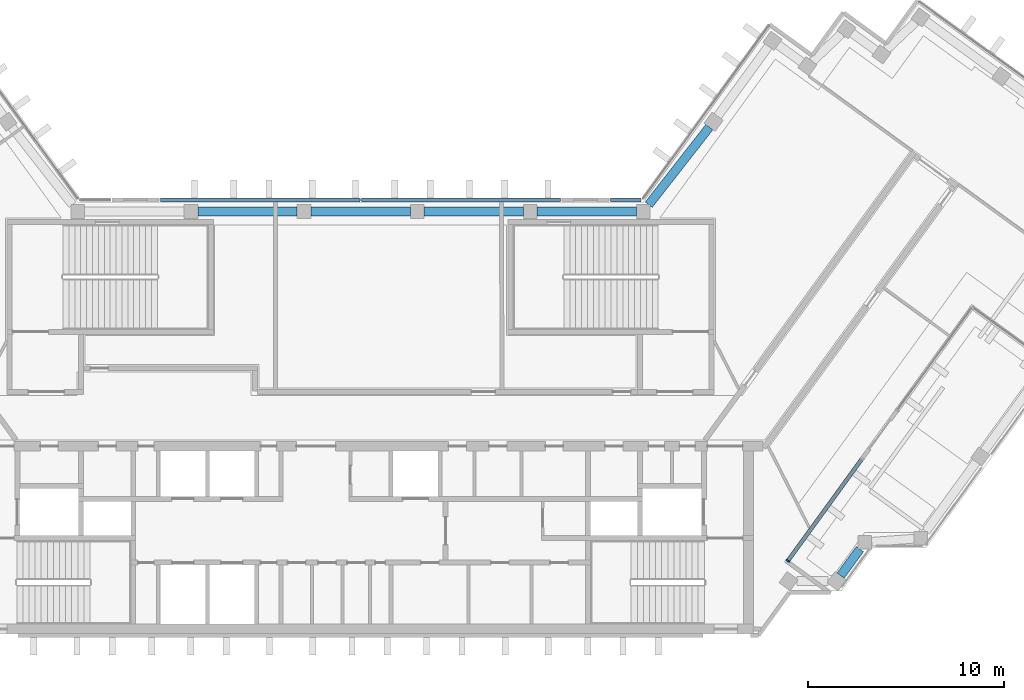
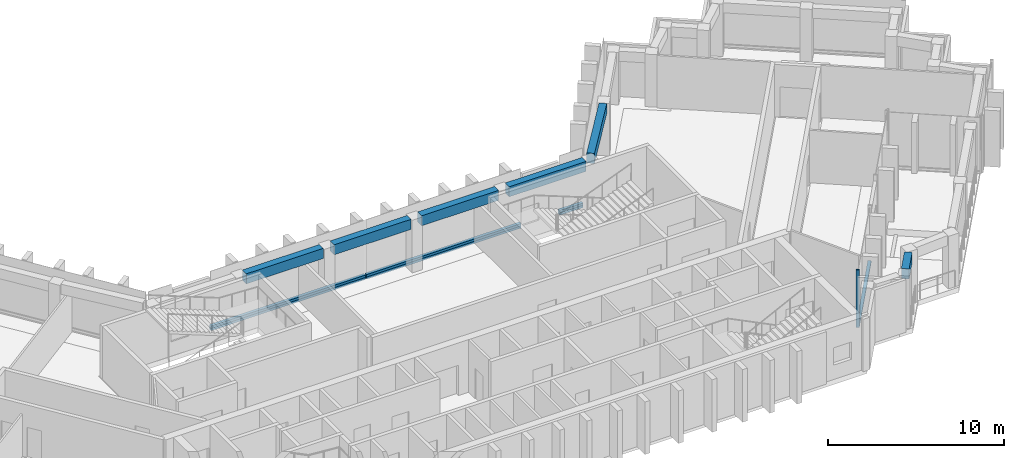
"""IFC4 building model written with IfcOpenShell, lengths in metres."""

from ifc_helpers import new_model, si_unit, direction, frame, origin, origin_2d, place, context, subcontext, project, spatial, rectangle, extrude, material, material_profile, profile_set, type_object, element, aggregate, save


model = new_model("IFC4")

# Units and contexts
model_context = context("Model", 3, precision=1e-05, world=origin(), true_north=direction((0.0, 1.0)))
body_context = subcontext(model_context, "Body", "Model", "MODEL_VIEW")
ifc_project = project(units=[si_unit("LENGTHUNIT", "METRE"), si_unit("AREAUNIT", "SQUARE_METRE"), si_unit("VOLUMEUNIT", "CUBIC_METRE"), si_unit("PLANEANGLEUNIT", "RADIAN"), si_unit("MASSUNIT", "GRAM", prefix="KILO")], contexts=[model_context])

# Site, building, storey
site_placement = place(None, origin())
site = spatial("IfcSite", under=ifc_project, at=site_placement, CompositionType="ELEMENT")
building_placement = place(site_placement, origin())
building = spatial("IfcBuilding", under=site, at=building_placement, Name="Quipu Civic Tower", CompositionType="ELEMENT")
storey_1_placement = place(building_placement, frame((0.0, 0.0, 319.0)))
storey_1 = spatial("IfcBuildingStorey", under=building, at=storey_1_placement, Name="L74", CompositionType="ELEMENT", Elevation=319.0)

# Curtain wall, member
ifc_material_1 = material(Name="Insulated glass unit", Category="glass")
curtain_wall_type = type_object("IfcCurtainWallType", Name="Office curtain wall CW1", PredefinedType="NOTDEFINED", material=ifc_material_1)
curtain_wall_1_placement = place(storey_1_placement, origin())
curtain_wall_1 = element("IfcCurtainWall", 1, at=curtain_wall_1_placement, inside=storey_1, type_object=curtain_wall_type, Name="Office curtain wall CW1 L74 run 3", PredefinedType="NOTDEFINED")
ifc_material_2 = material(Name="Anodised aluminium", Category="aluminium")
ifc_material_profile_1 = material_profile(ifc_material_2, rectangle(XDim=0.199951171875, YDim=0.080078125, at=origin_2d()), Name="RECT 200x80")
ifc_profile_set_1 = profile_set([ifc_material_profile_1], Name="Anodised aluminium")
member_type_1 = type_object("IfcMemberType", Name="Mullion CW1", PredefinedType="MULLION", material=ifc_profile_set_1)
member_1_placement = place(storey_1_placement, frame((21.7548828125, -7.2822265625, 0.080078125), z_axis=(0.0, 0.0, 1.0), x_axis=(-0.809018600878, 0.587783041125, 0.0)))
member_1 = element("IfcMember", 2, at=member_1_placement, type_object=member_type_1, Name="CW1 mullion 1", PredefinedType="MULLION", context=body_context, shape_type="SweptSolid", body=[
    extrude(rectangle(XDim=0.199951171875, YDim=0.080078125, at=origin_2d()), origin(), (0.0, 0.0, 1.0), 4.0),
])

# Beams
ifc_material_3 = material(Name="Concrete C50/60", Category="concrete")
ifc_material_profile_2 = material_profile(ifc_material_3, rectangle(XDim=0.449951171875, YDim=0.699951171875, at=origin_2d()), Name="RC450x700")
ifc_profile_set_2 = profile_set([ifc_material_profile_2], Name="Concrete C50/60")
beam_type = type_object("IfcBeamType", Name="Spandrel beam RC 450x700 C50/60", PredefinedType="SPANDREL", material=ifc_profile_set_2)
beam_1_placement = place(storey_1_placement, frame((24.44091796875, -8.031982421875, 3.300048828125), z_axis=(0.588407300614, 0.80856468423, 0.0), x_axis=(-0.80856468423, 0.588407300614, 0.0)))
element("IfcBeam", 3, at=beam_1_placement, inside=storey_1, type_object=beam_type, Name="Spandrel beam L74 J-Eo.2 to J-Eo.3", PredefinedType="SPANDREL", context=body_context, shape_type="SweptSolid", body=[
    extrude(rectangle(XDim=0.449951171875, YDim=0.699951171875, at=origin_2d()), origin(), (0.0, 0.0, 1.0), 1.663330078125),
])
beam_2_placement = place(storey_1_placement, frame((17.7578125, 14.799072265625, 3.300048828125), z_axis=(-0.616106034519, -0.787663223865, 0.0), x_axis=(0.787663223865, -0.616106034519, 0.0)))
element("IfcBeam", 4, at=beam_2_placement, inside=storey_1, type_object=beam_type, Name="Spandrel beam L74 E-IN-01 to J-Ei.0", PredefinedType="SPANDREL", context=body_context, shape_type="SweptSolid", body=[
    extrude(rectangle(XDim=0.449951171875, YDim=0.699951171875, at=origin_2d()), origin(), (0.0, 0.0, 1.0), 5.013427734375),
])
for number, where, z_axis, x_axis, name in (
    (5, (14.045166015625, 10.5, 3.300048828125), (-1.0, 0.0, 0.0), (0.0, -1.0, 0.0), "Spandrel beam L74 J-Ei.0 to FRONT-01"),
    (6, (8.287109375, 10.5, 3.300048828125), (-1.0, 0.0, 0.0), (0.0, -1.0, 0.0), "Spandrel beam L74 FRONT-01 to FRONT-02"),
    (7, (2.529052734375, 10.5, 3.300048828125), (-1.0, 0.0, 0.0), (0.0, -1.0, 0.0), "Spandrel beam L74 FRONT-02 to FRONT-03"),
    (8, (-3.22900390625, 10.5, 3.300048828125), (-1.0, 0.0, 0.0), (0.0, -1.0, 0.0), "Spandrel beam L74 FRONT-03 to FRONT-04"),
):
    element("IfcBeam", number, at=place(storey_1_placement, frame(where, z_axis=z_axis, x_axis=x_axis)), inside=storey_1, type_object=beam_type, Name=name, PredefinedType="SPANDREL", context=body_context, shape_type="SweptSolid", body=[
        extrude(rectangle(XDim=0.449951171875, YDim=0.699951171875, at=origin_2d()), origin(), (0.0, 0.0, 1.0), 5.05810546875),
    ])

# Storey
storey_2_placement = place(building_placement, frame((0.0, 0.0, 311.0)))
storey_2 = spatial("IfcBuildingStorey", under=building, at=storey_2_placement, Name="L72", CompositionType="ELEMENT", Elevation=311.0)

# Curtain wall, member
curtain_wall_2_placement = place(storey_2_placement, origin())
curtain_wall_2 = element("IfcCurtainWall", 9, at=curtain_wall_2_placement, inside=storey_2, type_object=curtain_wall_type, Name="Office curtain wall CW1 L71 run 12", PredefinedType="NOTDEFINED")
ifc_material_4 = material(Name="Anodised aluminium", Category="aluminium")
ifc_material_profile_3 = material_profile(ifc_material_4, rectangle(XDim=0.199951171875, YDim=0.159912109375, at=origin_2d()), Name="RECT 200x160")
ifc_profile_set_3 = profile_set([ifc_material_profile_3], Name="Anodised aluminium")
member_type_2 = type_object("IfcMemberType", Name="Transom CW1", PredefinedType="USERDEFINED", material=ifc_profile_set_3)
member_2_placement = place(storey_1_placement, frame((14.26416015625, 11.10009765625, 0.0), z_axis=(-1.0, 0.0, 0.0), x_axis=(0.0, -1.0, 0.0)))
member_2 = element("IfcMember", 10, at=member_2_placement, inside=storey_1, type_object=member_type_2, Name="CW1 transom 1.4", ObjectType="TRANSOM", PredefinedType="USERDEFINED", context=body_context, shape_type="SweptSolid", body=[
    extrude(rectangle(XDim=0.199951171875, YDim=0.159912109375, at=origin_2d()), origin(), (0.0, 0.0, 1.0), 1.529052734375),
])
aggregate(curtain_wall_2, [member_2])

# Curtain wall, members
curtain_wall_3_placement = place(storey_2_placement, origin())
curtain_wall_3 = element("IfcCurtainWall", 11, at=curtain_wall_3_placement, inside=storey_2, type_object=curtain_wall_type, Name="Office curtain wall CW1 L71 run 14", PredefinedType="NOTDEFINED")
member_3_placement = place(storey_1_placement, frame((10.18359375, 11.10009765625, 0.0), z_axis=(-1.0, 0.0, 0.0), x_axis=(0.0, -1.0, 0.0)))
member_3 = element("IfcMember", 12, at=member_3_placement, inside=storey_1, type_object=member_type_2, Name="CW1 transom 1.4", ObjectType="TRANSOM", PredefinedType="USERDEFINED", context=body_context, shape_type="SweptSolid", body=[
    extrude(rectangle(XDim=0.199951171875, YDim=0.159912109375, at=origin_2d()), origin(), (0.0, 0.0, 1.0), 10.1435546875),
])
member_4_placement = place(storey_1_placement, frame((-0.0400390625, 11.10009765625, 0.0), z_axis=(-1.0, 0.0, 0.0), x_axis=(0.0, -1.0, 0.0)))
member_4 = element("IfcMember", 13, at=member_4_placement, inside=storey_1, type_object=member_type_2, Name="CW1 transom 2.4", ObjectType="TRANSOM", PredefinedType="USERDEFINED", context=body_context, shape_type="SweptSolid", body=[
    extrude(rectangle(XDim=0.199951171875, YDim=0.159912109375, at=origin_2d()), origin(), (0.0, 0.0, 1.0), 10.1435546875),
])
aggregate(curtain_wall_3, [member_3, member_4])

# Member
member_5_placement = place(storey_1_placement, frame((21.7783203125, -7.25, 0.159912109375), z_axis=(0.587760684466, 0.809034843375, 0.0), x_axis=(-0.809034843375, 0.587760684466, 0.0)))
member_5 = element("IfcMember", 14, at=member_5_placement, type_object=member_type_2, Name="CW1 transom 1.1", ObjectType="TRANSOM", PredefinedType="USERDEFINED", context=body_context, shape_type="SweptSolid", body=[
    extrude(rectangle(XDim=0.199951171875, YDim=0.159912109375, at=origin_2d()), origin(), (0.0, 0.0, 1.0), 6.358642578125),
])

aggregate(curtain_wall_1, [member_1, member_5])

# Storey
storey_3_placement = place(building_placement, frame((0.0, 0.0, 323.0)))
storey_3 = spatial("IfcBuildingStorey", under=building, at=storey_3_placement, Name="L75", CompositionType="ELEMENT", Elevation=323.0)

# Curtain wall, member
curtain_wall_4_placement = place(storey_3_placement, origin())
curtain_wall_4 = element("IfcCurtainWall", 15, at=curtain_wall_4_placement, inside=storey_3, type_object=curtain_wall_type, Name="Office curtain wall CW1 L74 run 34", PredefinedType="NOTDEFINED")
member_6_placement = place(storey_1_placement, frame((14.26416015625, 11.10009765625, 0.159912109375), z_axis=(-1.0, 0.0, 0.0), x_axis=(0.0, -1.0, 0.0)))
member_6 = element("IfcMember", 16, at=member_6_placement, inside=storey_1, type_object=member_type_2, Name="CW1 transom 1.1", ObjectType="TRANSOM", PredefinedType="USERDEFINED", context=body_context, shape_type="SweptSolid", body=[
    extrude(rectangle(XDim=0.199951171875, YDim=0.159912109375, at=origin_2d()), origin(), (0.0, 0.0, 1.0), 1.529052734375),
])
aggregate(curtain_wall_4, [member_6])

# Curtain wall, members
curtain_wall_5_placement = place(storey_3_placement, origin())
curtain_wall_5 = element("IfcCurtainWall", 17, at=curtain_wall_5_placement, inside=storey_3, type_object=curtain_wall_type, Name="Office curtain wall CW1 L74 run 36", PredefinedType="NOTDEFINED")
member_7_placement = place(storey_1_placement, frame((10.18359375, 11.10009765625, 0.159912109375), z_axis=(-1.0, 0.0, 0.0), x_axis=(0.0, -1.0, 0.0)))
member_7 = element("IfcMember", 18, at=member_7_placement, inside=storey_1, type_object=member_type_2, Name="CW1 transom 1.1", ObjectType="TRANSOM", PredefinedType="USERDEFINED", context=body_context, shape_type="SweptSolid", body=[
    extrude(rectangle(XDim=0.199951171875, YDim=0.159912109375, at=origin_2d()), origin(), (0.0, 0.0, 1.0), 10.1435546875),
])
member_8_placement = place(storey_1_placement, frame((-0.0400390625, 11.10009765625, 0.159912109375), z_axis=(-1.0, 0.0, 0.0), x_axis=(0.0, -1.0, 0.0)))
member_8 = element("IfcMember", 19, at=member_8_placement, inside=storey_1, type_object=member_type_2, Name="CW1 transom 2.1", ObjectType="TRANSOM", PredefinedType="USERDEFINED", context=body_context, shape_type="SweptSolid", body=[
    extrude(rectangle(XDim=0.199951171875, YDim=0.159912109375, at=origin_2d()), origin(), (0.0, 0.0, 1.0), 10.1435546875),
])
aggregate(curtain_wall_5, [member_7, member_8])

save(model, "model.ifc")
